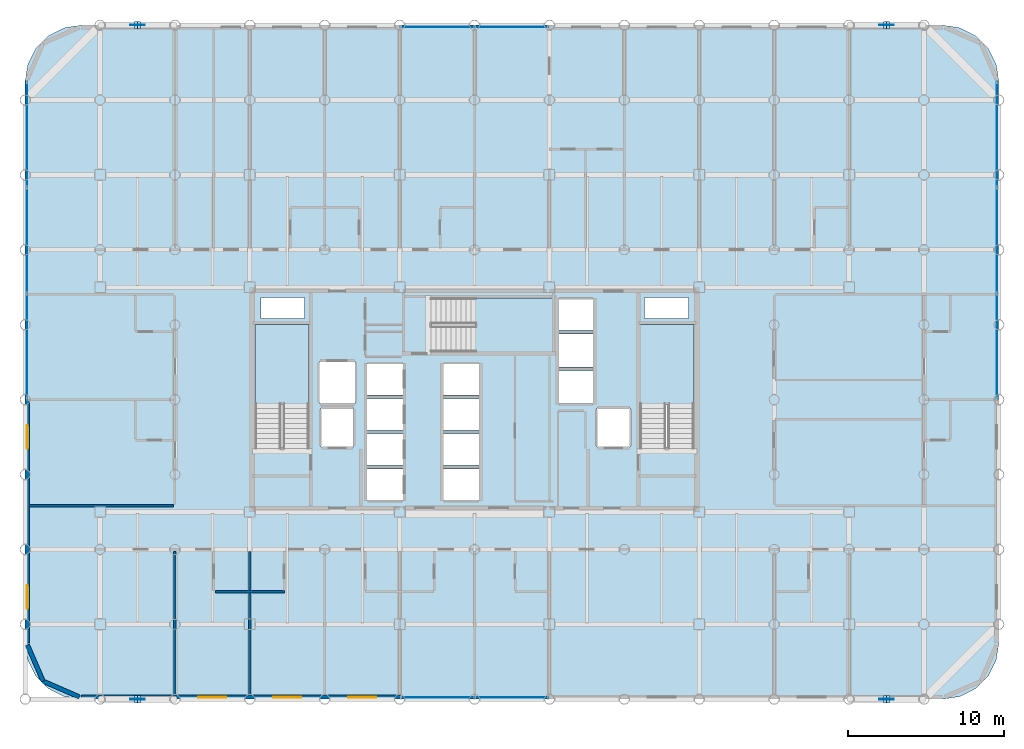
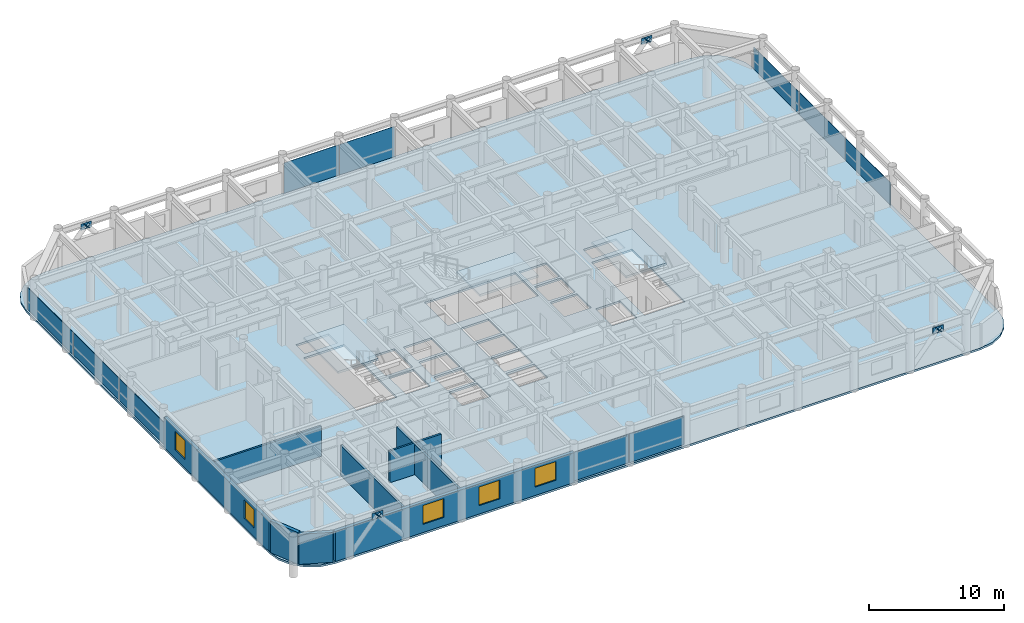
# One storey, part 16 of 22: 22 plates, 8 walls, 5 windows, 4 slabs, 5 openings, 7 elements without a shape of their own.
"""IFC4 building model written with IfcOpenShell, lengths in metres."""

from ifc_helpers import new_model, si_unit, direction, frame, frame_2d, origin, origin_2d, place, context, subcontext, project, spatial, polyline, rectangle, outline, extrude, material, layer, layer_set, type_object, element, fill, aggregate, save


model = new_model("IFC4")

# Units and contexts
model_context = context("Model", 3, precision=1e-05, world=origin(), true_north=direction((0.0, 1.0)))
body_context = subcontext(model_context, "Body", "Model", "MODEL_VIEW")
ifc_project = project(units=[si_unit("LENGTHUNIT", "METRE"), si_unit("AREAUNIT", "SQUARE_METRE"), si_unit("VOLUMEUNIT", "CUBIC_METRE"), si_unit("PLANEANGLEUNIT", "RADIAN"), si_unit("MASSUNIT", "GRAM", prefix="KILO")], contexts=[model_context])

# Site, building, storey
site_placement = place(None, origin())
site = spatial("IfcSite", under=ifc_project, at=site_placement, CompositionType="ELEMENT")
building_placement = place(site_placement, origin())
building = spatial("IfcBuilding", under=site, at=building_placement, Name="Kallvorn Hotel Tower", CompositionType="ELEMENT")
storey_placement = place(building_placement, frame((0.0, 0.0, 113.699951171875)))
storey = spatial("IfcBuildingStorey", under=building, at=storey_placement, Name="L27", CompositionType="ELEMENT", Elevation=113.699951171875)

# Curtain wall, plates
ifc_material_1 = material(Name="Thermally broken black-anodised aluminium AA 6063-T6", Category="aluminium")
ifc_layer_1 = layer(ifc_material_1, 0.199951171875)
ifc_layer_set_1 = layer_set([ifc_layer_1], Name="CW_SYS_3_HOTEL_LOW")
curtain_wall_type = type_object("IfcCurtainWallType", Name="CW_SYS_3_HOTEL_LOW", PredefinedType="USERDEFINED", material=ifc_layer_set_1)
curtain_wall_1_placement = place(storey_placement, origin())
curtain_wall_1 = element("IfcCurtainWall", 1, at=curtain_wall_1_placement, inside=storey, type_object=curtain_wall_type, Name="L27 Dark-Glass Curtain Wall CW-L27-SC", ObjectType="UNITISED CURTAIN WALL", PredefinedType="USERDEFINED")
ifc_material_2 = material(Name="Double-glazed low-e solar-control dark glass", Category="glass")
ifc_layer_2 = layer(ifc_material_2, 0.035888671875)
ifc_layer_set_2 = layer_set([ifc_layer_2], Name="CW_SYS_3_HOTEL_LOW_PANEL")
plate_type_1 = type_object("IfcPlateType", Name="CW_SYS_3_HOTEL_LOW_PANEL", PredefinedType="CURTAIN_PANEL", material=ifc_layer_set_2)
plate_1_placement = place(storey_placement, frame((-2.375, -19.080078125, 0.06005859375), z_axis=(0.0, 0.0, 1.0), x_axis=(1.0, 0.0, 0.0)))
plate_1 = element("IfcPlate", 2, at=plate_1_placement, type_object=plate_type_1, Name="CW-L27-SC Vision Glass Panel 00", PredefinedType="CURTAIN_PANEL", context=body_context, shape_type="SweptSolid", body=[
    extrude(rectangle(XDim=4.68994140625, YDim=0.035888671875, at=origin_2d()), origin(), (0.0, 0.0, 1.0), 2.60009765625),
])
plate_2_placement = place(storey_placement, frame((2.375, -19.080078125, 0.06005859375), z_axis=(0.0, 0.0, 1.0), x_axis=(1.0, 0.0, 0.0)))
plate_2 = element("IfcPlate", 3, at=plate_2_placement, type_object=plate_type_1, Name="CW-L27-SC Vision Glass Panel 01", PredefinedType="CURTAIN_PANEL", context=body_context, shape_type="SweptSolid", body=[
    extrude(rectangle(XDim=4.68994140625, YDim=0.035888671875, at=origin_2d()), origin(), (0.0, 0.0, 1.0), 2.60009765625),
])
aggregate(curtain_wall_1, [plate_1, plate_2])

curtain_wall_2_placement = place(storey_placement, origin())
curtain_wall_2 = element("IfcCurtainWall", 4, at=curtain_wall_2_placement, inside=storey, type_object=curtain_wall_type, Name="L27 Dark-Glass Curtain Wall CW-L27-NC", ObjectType="UNITISED CURTAIN WALL", PredefinedType="USERDEFINED")
plate_3_placement = place(storey_placement, frame((-2.375, 23.8798828125, 0.06005859375), z_axis=(0.0, 0.0, 1.0), x_axis=(1.0, 0.0, 0.0)))
plate_3 = element("IfcPlate", 5, at=plate_3_placement, type_object=plate_type_1, Name="CW-L27-NC Vision Glass Panel 00", PredefinedType="CURTAIN_PANEL", context=body_context, shape_type="SweptSolid", body=[
    extrude(rectangle(XDim=4.68994140625, YDim=0.035888671875, at=origin_2d()), origin(), (0.0, 0.0, 1.0), 2.75),
])
plate_4_placement = place(storey_placement, frame((2.375, 23.8798828125, 0.06005859375), z_axis=(0.0, 0.0, 1.0), x_axis=(1.0, 0.0, 0.0)))
plate_4 = element("IfcPlate", 6, at=plate_4_placement, type_object=plate_type_1, Name="CW-L27-NC Vision Glass Panel 01", PredefinedType="CURTAIN_PANEL", context=body_context, shape_type="SweptSolid", body=[
    extrude(rectangle(XDim=4.68994140625, YDim=0.035888671875, at=origin_2d()), origin(), (0.0, 0.0, 1.0), 2.75),
])
aggregate(curtain_wall_2, [plate_3, plate_4])

curtain_wall_3_placement = place(storey_placement, origin())
curtain_wall_3 = element("IfcCurtainWall", 7, at=curtain_wall_3_placement, inside=storey, type_object=curtain_wall_type, Name="L27 Dark-Glass Curtain Wall CW-L27-WN", ObjectType="UNITISED CURTAIN WALL", PredefinedType="USERDEFINED")
plate_5_placement = place(storey_placement, frame((-28.679931640625, 3.41650390625, 0.06005859375), z_axis=(0.0, 0.0, 1.0), x_axis=(0.0, 1.0, 0.0)))
plate_5 = element("IfcPlate", 8, at=plate_5_placement, type_object=plate_type_1, Name="CW-L27-WN Vision Glass Panel 00", PredefinedType="CURTAIN_PANEL", context=body_context, shape_type="SweptSolid", body=[
    extrude(rectangle(XDim=6.7333984375, YDim=0.035888671875, at=origin_2d()), origin(), (0.0, 0.0, 1.0), 2.0),
])
plate_6_placement = place(storey_placement, frame((-28.679931640625, 10.2099609375, 0.06005859375), z_axis=(0.0, 0.0, 1.0), x_axis=(0.0, 1.0, 0.0)))
plate_6 = element("IfcPlate", 9, at=plate_6_placement, type_object=plate_type_1, Name="CW-L27-WN Vision Glass Panel 01", PredefinedType="CURTAIN_PANEL", context=body_context, shape_type="SweptSolid", body=[
    extrude(rectangle(XDim=6.7333984375, YDim=0.035888671875, at=origin_2d()), origin(), (0.0, 0.0, 1.0), 2.0),
])
plate_7_placement = place(storey_placement, frame((-28.679931640625, 17.00341796875, 0.06005859375), z_axis=(0.0, 0.0, 1.0), x_axis=(0.0, 1.0, 0.0)))
plate_7 = element("IfcPlate", 10, at=plate_7_placement, type_object=plate_type_1, Name="CW-L27-WN Vision Glass Panel 02", PredefinedType="CURTAIN_PANEL", context=body_context, shape_type="SweptSolid", body=[
    extrude(rectangle(XDim=6.7333984375, YDim=0.035888671875, at=origin_2d()), origin(), (0.0, 0.0, 1.0), 2.0),
])
aggregate(curtain_wall_3, [plate_5, plate_6, plate_7])

curtain_wall_4_placement = place(storey_placement, origin())
curtain_wall_4 = element("IfcCurtainWall", 11, at=curtain_wall_4_placement, inside=storey, type_object=curtain_wall_type, Name="L27 Dark-Glass Curtain Wall CW-L27-EN", ObjectType="UNITISED CURTAIN WALL", PredefinedType="USERDEFINED")
plate_8_placement = place(storey_placement, frame((33.47998046875, 3.41650390625, 0.06005859375), z_axis=(0.0, 0.0, 1.0), x_axis=(0.0, 1.0, 0.0)))
plate_8 = element("IfcPlate", 12, at=plate_8_placement, type_object=plate_type_1, Name="CW-L27-EN Vision Glass Panel 00", PredefinedType="CURTAIN_PANEL", context=body_context, shape_type="SweptSolid", body=[
    extrude(rectangle(XDim=6.7333984375, YDim=0.035888671875, at=origin_2d()), origin(), (0.0, 0.0, 1.0), 2.0),
])
plate_9_placement = place(storey_placement, frame((33.47998046875, 10.2099609375, 0.06005859375), z_axis=(0.0, 0.0, 1.0), x_axis=(0.0, 1.0, 0.0)))
plate_9 = element("IfcPlate", 13, at=plate_9_placement, type_object=plate_type_1, Name="CW-L27-EN Vision Glass Panel 01", PredefinedType="CURTAIN_PANEL", context=body_context, shape_type="SweptSolid", body=[
    extrude(rectangle(XDim=6.7333984375, YDim=0.035888671875, at=origin_2d()), origin(), (0.0, 0.0, 1.0), 2.0),
])
plate_10_placement = place(storey_placement, frame((33.47998046875, 17.00341796875, 0.06005859375), z_axis=(0.0, 0.0, 1.0), x_axis=(0.0, 1.0, 0.0)))
plate_10 = element("IfcPlate", 14, at=plate_10_placement, type_object=plate_type_1, Name="CW-L27-EN Vision Glass Panel 02", PredefinedType="CURTAIN_PANEL", context=body_context, shape_type="SweptSolid", body=[
    extrude(rectangle(XDim=6.7333984375, YDim=0.035888671875, at=origin_2d()), origin(), (0.0, 0.0, 1.0), 2.0),
])
aggregate(curtain_wall_4, [plate_8, plate_9, plate_10])

# Plates
ifc_material_3 = material(Name="Structural steel S355JR", Category="steel")
ifc_layer_3 = layer(ifc_material_3, 0.030029296875)
ifc_layer_set_3 = layer_set([ifc_layer_3], Name="PLT_CAP_30")
plate_type_2 = type_object("IfcPlateType", Name="PLT_CAP_30", PredefinedType="SHEET", material=ifc_layer_set_3)
for number, where, z_axis, x_axis, name in (
    (15, (-21.407958984375, -19.443115234375, 2.8603515625), (0.646774094145, 0.0, 0.762681631575), (0.0, 1.0, 0.0), "EXO-L27-S1A End Cap Plate B"),
    (16, (-21.7919921875, -18.956787109375, 2.8603515625), (-0.646774094145, 0.0, 0.762681631575), (0.0, -1.0, 0.0), "EXO-L27-S1B End Cap Plate B"),
    (17, (26.592041015625, -19.443115234375, 2.8603515625), (0.646774094145, 0.0, 0.762681631575), (0.0, 1.0, 0.0), "EXO-L27-S2A End Cap Plate B"),
    (18, (26.2080078125, -18.956787109375, 2.8603515625), (-0.646774094145, 0.0, 0.762681631575), (0.0, -1.0, 0.0), "EXO-L27-S2B End Cap Plate B"),
    (19, (-21.407958984375, 23.7568359375, 2.8603515625), (0.646774094145, 0.0, 0.762681631575), (0.0, 1.0, 0.0), "EXO-L27-N1A End Cap Plate B"),
    (20, (-21.7919921875, 24.2431640625, 2.8603515625), (-0.646774094145, 0.0, 0.762681631575), (0.0, -1.0, 0.0), "EXO-L27-N1B End Cap Plate B"),
    (21, (26.592041015625, 23.7568359375, 2.8603515625), (0.646774094145, 0.0, 0.762681631575), (0.0, 1.0, 0.0), "EXO-L27-N2A End Cap Plate B"),
    (22, (26.2080078125, 24.2431640625, 2.8603515625), (-0.646774094145, 0.0, 0.762681631575), (0.0, -1.0, 0.0), "EXO-L27-N2B End Cap Plate B"),
):
    element("IfcPlate", number, at=place(storey_placement, frame(where, z_axis=z_axis, x_axis=x_axis)), inside=storey, type_object=plate_type_2, Name=name, PredefinedType="SHEET", context=body_context, shape_type="SweptSolid", body=[
        extrude(outline(polyline([(0.0, 0.0), (0.486328125, 0.0), (0.486328125, 0.4865644256220488), (0.0, 0.4865644256220488), (0.0, 0.0)])), origin(), (0.0, 0.0, -1.0), 0.030029296875),
    ])
ifc_material_4 = material(Name="Structural steel S355JR", Category="steel")
ifc_layer_4 = layer(ifc_material_4, 0.044921875)
ifc_layer_set_4 = layer_set([ifc_layer_4], Name="PLT_GUSSET_45")
plate_type_3 = type_object("IfcPlateType", Name="PLT_GUSSET_45", PredefinedType="USERDEFINED", material=ifc_layer_set_4)
for number, where, z_axis, x_axis, name in (
    (23, (-21.60009765625, -19.199951171875, 2.68994140625), (0.0, 0.0, 1.0), (1.0, 0.0, 0.0), "L27 Exoskeleton Node Gusset S1"),
    (24, (26.39990234375, -19.199951171875, 2.68994140625), (0.0, 0.0, 1.0), (1.0, 0.0, 0.0), "L27 Exoskeleton Node Gusset S2"),
    (25, (-21.60009765625, 24.0, 2.68994140625), (0.0, 0.0, 1.0), (1.0, 0.0, 0.0), "L27 Exoskeleton Node Gusset N1"),
    (26, (26.39990234375, 24.0, 2.68994140625), (0.0, 0.0, 1.0), (1.0, 0.0, 0.0), "L27 Exoskeleton Node Gusset N2"),
):
    element("IfcPlate", number, at=place(storey_placement, frame(where, z_axis=z_axis, x_axis=x_axis)), inside=storey, type_object=plate_type_3, Name=name, ObjectType="GUSSET PLATE", PredefinedType="USERDEFINED", context=body_context, shape_type="SweptSolid", body=[
        extrude(rectangle(XDim=0.89990234375, YDim=0.044921875, at=origin_2d()), origin(), (0.0, 0.0, 1.0), 0.56005859375),
    ])

# Stair, slab
ifc_material_5 = material(Name="Precast concrete C40/50", Category="concrete")
stair_type = type_object("IfcStairType", Name="STR_CORE_DOGLEG", PredefinedType="HALF_TURN_STAIR", material=ifc_material_5)
stair_1_placement = place(storey_placement, origin())
stair_1 = element("IfcStair", 27, at=stair_1_placement, inside=storey, type_object=stair_type, Name="L27 Exit stair ST1", PredefinedType="HALF_TURN_STAIR")
ifc_material_6 = material(Name="Precast concrete C40/50", Category="concrete")
ifc_layer_5 = layer(ifc_material_6, 0.179931640625)
ifc_layer_set_5 = layer_set([ifc_layer_5], Name="SLB_LANDING_180")
slab_type_1 = type_object("IfcSlabType", Name="SLB_LANDING_180", PredefinedType="LANDING", material=ifc_layer_set_5)
slab_1_placement = place(storey_placement, frame((0.0, 0.0, 1.650146484375)))
slab_1 = element("IfcSlab", 28, at=slab_1_placement, type_object=slab_type_1, Name="ST1 landing 1", PredefinedType="LANDING", context=body_context, shape_type="SweptSolid", body=[
    extrude(outline(polyline([(-10.60009765625, -0.31005859375), (-10.60009765625, 4.800048828125), (-14.06005859375, 4.800048828125), (-14.06005859375, -0.31005859375), (-10.60009765625, -0.31005859375)])), origin(), (0.0, 0.0, 1.0), 0.199951171875),
])
aggregate(stair_1, [slab_1])

stair_2_placement = place(storey_placement, origin())
stair_2 = element("IfcStair", 29, at=stair_2_placement, inside=storey, type_object=stair_type, Name="L27 Exit stair ST2", PredefinedType="HALF_TURN_STAIR")
slab_2_placement = place(storey_placement, frame((0.0, 0.0, 1.650146484375)))
slab_2 = element("IfcSlab", 30, at=slab_2_placement, type_object=slab_type_1, Name="ST2 landing 1", PredefinedType="LANDING", context=body_context, shape_type="SweptSolid", body=[
    extrude(outline(polyline([(14.06005859375, -0.31005859375), (14.06005859375, 4.800048828125), (10.60009765625, 4.800048828125), (10.60009765625, -0.31005859375), (14.06005859375, -0.31005859375)])), origin(), (0.0, 0.0, 1.0), 0.199951171875),
])
aggregate(stair_2, [slab_2])

stair_3_placement = place(storey_placement, origin())
stair_3 = element("IfcStair", 31, at=stair_3_placement, inside=storey, type_object=stair_type, Name="L27 Exit stair ST3", PredefinedType="HALF_TURN_STAIR")
slab_3_placement = place(storey_placement, frame((0.0, 0.0, 1.650146484375)))
slab_3 = element("IfcSlab", 32, at=slab_3_placement, type_object=slab_type_1, Name="ST3 landing 1", PredefinedType="LANDING", context=body_context, shape_type="SweptSolid", body=[
    extrude(outline(polyline([(0.0400390625, 3.050048828125), (5.050048828125, 3.050048828125), (5.050048828125, 6.510009765625), (0.0400390625, 6.510009765625), (0.0400390625, 3.050048828125)])), origin(), (0.0, 0.0, 1.0), 0.199951171875),
])
aggregate(stair_3, [slab_3])

# Slab
ifc_material_7 = material(Name="Concrete C40/50", Category="concrete")
ifc_layer_6 = layer(ifc_material_7, 0.179931640625)
ifc_layer_set_6 = layer_set([ifc_layer_6], Name="SLB_TOWER_180")
slab_type_2 = type_object("IfcSlabType", Name="SLB_TOWER_180", PredefinedType="FLOOR", material=ifc_layer_set_6)
slab_4_placement = place(storey_placement, frame((0.0, 0.0, -0.179931640625)))
element("IfcSlab", 33, at=slab_4_placement, inside=storey, type_object=slab_type_2, Name="L27 Structural Floor Slab", PredefinedType="FLOOR", context=body_context, shape_type="SweptSolid", body=[
    extrude(outline(polyline([(30.0, -19.199951171875), (31.112548828125, -19.023681640625), (32.115966796875, -18.512451171875), (32.91259765625, -17.716064453125), (33.423828125, -16.71240234375), (33.60009765625, -15.60009765625), (33.60009765625, 20.39990234375), (33.423828125, 21.512451171875), (32.91259765625, 22.51611328125), (32.115966796875, 23.3125), (31.112548828125, 23.82373046875), (30.0, 24.0), (-25.199951171875, 24.0), (-26.3125, 23.82373046875), (-27.31591796875, 23.3125), (-28.112548828125, 22.51611328125), (-28.623779296875, 21.512451171875), (-28.800048828125, 20.39990234375), (-28.800048828125, -15.60009765625), (-28.623779296875, -16.71240234375), (-28.112548828125, -17.716064453125), (-27.31591796875, -18.512451171875), (-26.3125, -19.023681640625), (-25.199951171875, -19.199951171875), (30.0, -19.199951171875)]), holes=[polyline([(-10.60009765625, -3.070068359375), (-10.60009765625, 4.800048828125), (-14.06005859375, 4.800048828125), (-14.06005859375, -3.070068359375), (-10.60009765625, -3.070068359375)]), polyline([(14.06005859375, -3.070068359375), (14.06005859375, 4.800048828125), (10.60009765625, 4.800048828125), (10.60009765625, -3.070068359375), (14.06005859375, -3.070068359375)]), polyline([(-2.719970703125, 3.050048828125), (5.050048828125, 3.050048828125), (5.050048828125, 6.510009765625), (-2.719970703125, 6.510009765625), (-2.719970703125, 3.050048828125)]), polyline([(-6.949951171875, -6.449951171875), (-4.550048828125, -6.449951171875), (-4.550048828125, -4.449951171875), (-6.949951171875, -4.449951171875), (-6.949951171875, -6.449951171875)]), polyline([(-6.949951171875, -4.199951171875), (-4.550048828125, -4.199951171875), (-4.550048828125, -2.199951171875), (-6.949951171875, -2.199951171875), (-6.949951171875, -4.199951171875)]), polyline([(-6.949951171875, -1.949951171875), (-4.550048828125, -1.949951171875), (-4.550048828125, 0.050048828125), (-6.949951171875, 0.050048828125), (-6.949951171875, -1.949951171875)]), polyline([(-6.949951171875, 0.300048828125), (-4.550048828125, 0.300048828125), (-4.550048828125, 2.300048828125), (-6.949951171875, 2.300048828125), (-6.949951171875, 0.300048828125)]), polyline([(-2.050048828125, -6.449951171875), (0.35009765625, -6.449951171875), (0.35009765625, -4.449951171875), (-2.050048828125, -4.449951171875), (-2.050048828125, -6.449951171875)]), polyline([(-2.050048828125, -4.199951171875), (0.35009765625, -4.199951171875), (0.35009765625, -2.199951171875), (-2.050048828125, -2.199951171875), (-2.050048828125, -4.199951171875)]), polyline([(-2.050048828125, -1.949951171875), (0.35009765625, -1.949951171875), (0.35009765625, 0.050048828125), (-2.050048828125, 0.050048828125), (-2.050048828125, -1.949951171875)]), polyline([(-2.050048828125, 0.300048828125), (0.35009765625, 0.300048828125), (0.35009765625, 2.300048828125), (-2.050048828125, 2.300048828125), (-2.050048828125, 0.300048828125)]), polyline([(5.35009765625, -0.25), (7.64990234375, -0.25), (7.64990234375, 1.85009765625), (5.35009765625, 1.85009765625), (5.35009765625, -0.25)]), polyline([(5.35009765625, 2.10009765625), (7.64990234375, 2.10009765625), (7.64990234375, 4.199951171875), (5.35009765625, 4.199951171875), (5.35009765625, 2.10009765625)]), polyline([(5.35009765625, 4.449951171875), (7.64990234375, 4.449951171875), (7.64990234375, 6.449951171875), (5.35009765625, 6.449951171875), (5.35009765625, 4.449951171875)]), polyline([(-9.85009765625, -3.050048828125), (-7.75, -3.050048828125), (-7.75, -0.550048828125), (-9.85009765625, -0.550048828125), (-9.85009765625, -3.050048828125)]), polyline([(7.85009765625, -3.050048828125), (9.949951171875, -3.050048828125), (9.949951171875, -0.550048828125), (7.85009765625, -0.550048828125), (7.85009765625, -3.050048828125)]), polyline([(-9.949951171875, -0.25), (-7.64990234375, -0.25), (-7.64990234375, 2.449951171875), (-9.949951171875, 2.449951171875), (-9.949951171875, -0.25)]), polyline([(-13.699951171875, 5.199951171875), (-10.89990234375, 5.199951171875), (-10.89990234375, 6.550048828125), (-13.699951171875, 6.550048828125), (-13.699951171875, 5.199951171875)]), polyline([(10.89990234375, 5.199951171875), (13.699951171875, 5.199951171875), (13.699951171875, 6.550048828125), (10.89990234375, 6.550048828125), (10.89990234375, 5.199951171875)])]), origin(), (0.0, 0.0, 1.0), 0.179931640625),
])

# Walls
ifc_material_8 = material(Name="Fire-rated double-layer acoustic gypsum drywall EI 60")
ifc_layer_7 = layer(ifc_material_8, 0.159912109375)
ifc_layer_set_7 = layer_set([ifc_layer_7], Name="WL_DEMISE_160")
wall_type_1 = type_object("IfcWallType", Name="WL_DEMISE_160", PredefinedType="PARTITIONING", material=ifc_layer_set_7)
wall_1_placement = place(storey_placement, frame((-16.610107421875, -12.320068359375, 0.0), z_axis=(0.0, 0.0, 1.0), x_axis=(1.0, 0.0, 0.0)))
element("IfcWall", 34, at=wall_1_placement, inside=storey, type_object=wall_type_1, Name="L27 Suite 2705 Superior Twin Room Partition", PredefinedType="PARTITIONING", context=body_context, shape_type="SweptSolid", body=[
    extrude(rectangle(XDim=4.420166015625, YDim=0.159912109375, at=frame_2d((2.2099609375, 0.0))), origin(), (0.0, 0.0, 1.0), 2.8701171875),
])
wall_2_placement = place(storey_placement, frame((-28.510009765625, -6.800048828125, 0.0), z_axis=(0.0, 0.0, 1.0), x_axis=(1.0, 0.0, 0.0)))
element("IfcWall", 35, at=wall_2_placement, inside=storey, type_object=wall_type_1, Name="L27 Suite 2701 W Loggia King Room Partition", PredefinedType="PARTITIONING", context=body_context, shape_type="SweptSolid", body=[
    extrude(rectangle(XDim=9.22998046875, YDim=0.159912109375, at=frame_2d((4.614990234375, 0.0))), origin(), (0.0, 0.0, 1.0), 2.719970703125),
])
for number, where, z_axis, x_axis, name in (
    (36, (-19.199951171875, -18.909912109375, 0.0), (0.0, 0.0, 1.0), (0.0, 1.0, 0.0), "L27 Suite 2705 Superior Twin Room Partition"),
    (37, (-14.39990234375, -18.909912109375, 0.0), (0.0, 0.0, 1.0), (0.0, 1.0, 0.0), "L27 Suite 2705 Superior Twin Room Partition"),
):
    element("IfcWall", number, at=place(storey_placement, frame(where, z_axis=z_axis, x_axis=x_axis)), inside=storey, type_object=wall_type_1, Name=name, PredefinedType="PARTITIONING", context=body_context, shape_type="SweptSolid", body=[
        extrude(rectangle(XDim=9.18994140625, YDim=0.159912109375, at=frame_2d((4.594970703125, 0.0))), origin(), (0.0, 0.0, 1.0), 2.719970703125),
    ])
ifc_material_9 = material(Name="Precast basalt-clad insulated concrete wall C40/50", Category="masonry")
ifc_layer_8 = layer(ifc_material_9, 0.280029296875)
ifc_layer_set_8 = layer_set([ifc_layer_8], Name="WL_EXT_LOGGIA_280")
wall_type_2 = type_object("IfcWallType", Name="WL_EXT_LOGGIA_280", PredefinedType="SOLIDWALL", material=ifc_layer_set_8)
wall_3_placement = place(storey_placement, frame((-28.657958984375, -15.720703125, 0.0), z_axis=(0.0, 0.0, 1.0), x_axis=(0.398792985289, -0.917040977756, 0.0)))
element("IfcWall", 38, at=wall_3_placement, inside=storey, type_object=wall_type_2, Name="L27 Rounded Corner Exterior Wall SW1", PredefinedType="SOLIDWALL", context=body_context, shape_type="SweptSolid", body=[
    extrude(rectangle(XDim=2.536376953125, YDim=0.280029296875, at=frame_2d((1.26806640625, 0.0))), origin(), (0.0, 0.0, 1.0), 2.8701171875),
])
wall_4_placement = place(storey_placement, frame((-27.646484375, -18.046630859375, 0.0), z_axis=(0.0, 0.0, 1.0), x_axis=(0.917060872934, -0.398747232384, 0.0)))
element("IfcWall", 39, at=wall_4_placement, inside=storey, type_object=wall_type_2, Name="L27 Rounded Corner Exterior Wall SW2", PredefinedType="SOLIDWALL", context=body_context, shape_type="SweptSolid", body=[
    extrude(rectangle(XDim=2.5361328125, YDim=0.280029296875, at=frame_2d((1.26806640625, 0.0))), origin(), (0.0, 0.0, 1.0), 2.719970703125),
])

# Wall, openings, windows
wall_5_placement = place(storey_placement, frame((-25.199951171875, -19.06005859375, 0.0), z_axis=(0.0, 0.0, 1.0), x_axis=(1.0, 0.0, 0.0)))
wall_5 = element("IfcWall", 40, at=wall_5_placement, inside=storey, type_object=wall_type_2, Name="L27 Exterior Envelope Wall EW-L27-SW", PredefinedType="SOLIDWALL", context=body_context, shape_type="SweptSolid", body=[
    extrude(rectangle(XDim=20.449951171875, YDim=0.280029296875, at=frame_2d((10.22509765625, 0.0))), origin(), (0.0, 0.0, 1.0), 2.719970703125),
])
opening_1_placement = place(wall_5_placement, frame((7.5, 0.0, 0.75)))
opening_1 = element("IfcOpeningElement", 41, at=opening_1_placement, cuts=wall_5, Name="Opening W04", PredefinedType="OPENING", context=body_context, shape_type="SweptSolid", body=[
    extrude(rectangle(XDim=1.800048828125, YDim=1.699951171875, at=frame_2d((0.89990234375, 0.85009765625))), frame((0.0, 0.155029296875, 0.0), z_axis=(0.0, -1.0, 0.0), x_axis=(1.0, 0.0, 0.0)), (0.0, 0.0, 1.0), 0.31005859375),
])
opening_2_placement = place(wall_5_placement, frame((12.300048828125, 0.0, 0.75)))
opening_2 = element("IfcOpeningElement", 42, at=opening_2_placement, cuts=wall_5, Name="Opening W04", PredefinedType="OPENING", context=body_context, shape_type="SweptSolid", body=[
    extrude(rectangle(XDim=1.800048828125, YDim=1.699951171875, at=frame_2d((0.89990234375, 0.85009765625))), frame((0.0, 0.155029296875, 0.0), z_axis=(0.0, -1.0, 0.0), x_axis=(1.0, 0.0, 0.0)), (0.0, 0.0, 1.0), 0.31005859375),
])
opening_3_placement = place(wall_5_placement, frame((17.10009765625, 0.0, 0.75)))
opening_3 = element("IfcOpeningElement", 43, at=opening_3_placement, cuts=wall_5, Name="Opening W04", PredefinedType="OPENING", context=body_context, shape_type="SweptSolid", body=[
    extrude(rectangle(XDim=1.800048828125, YDim=1.699951171875, at=frame_2d((0.89990234375, 0.85009765625))), frame((0.0, 0.155029296875, 0.0), z_axis=(0.0, -1.0, 0.0), x_axis=(1.0, 0.0, 0.0)), (0.0, 0.0, 1.0), 0.31005859375),
])
ifc_material_10 = material(Name="Double-glazed low-e solar-control dark glass", Category="glass")
window_type_1 = type_object("IfcWindowType", Name="WN_HTL_1800x1700", PartitioningType="SINGLE_PANEL", PredefinedType="WINDOW", material=ifc_material_10)
window_1_placement = place(opening_1_placement, origin())
window_1 = element("IfcWindow", 44, at=window_1_placement, inside=storey, type_object=window_type_1, Name="L27 Guestroom Exterior Window 05", OverallHeight=1.699951171875, OverallWidth=1.800048828125, PartitioningType="SINGLE_PANEL", PredefinedType="WINDOW", context=body_context, shape_type="SweptSolid", body=[
    extrude(rectangle(XDim=1.800048828125, YDim=1.699951171875, at=frame_2d((0.89990234375, 0.85009765625))), frame((0.0, 0.030029296875, 0.0), z_axis=(0.0, -1.0, 0.0), x_axis=(1.0, 0.0, 0.0)), (0.0, 0.0, 1.0), 0.06005859375),
])
fill(opening_1, window_1)
window_2_placement = place(opening_2_placement, origin())
window_2 = element("IfcWindow", 45, at=window_2_placement, inside=storey, type_object=window_type_1, Name="L27 Guestroom Exterior Window 06", OverallHeight=1.699951171875, OverallWidth=1.800048828125, PartitioningType="SINGLE_PANEL", PredefinedType="WINDOW", context=body_context, shape_type="SweptSolid", body=[
    extrude(rectangle(XDim=1.800048828125, YDim=1.699951171875, at=frame_2d((0.89990234375, 0.85009765625))), frame((0.0, 0.030029296875, 0.0), z_axis=(0.0, -1.0, 0.0), x_axis=(1.0, 0.0, 0.0)), (0.0, 0.0, 1.0), 0.06005859375),
])
fill(opening_2, window_2)
window_3_placement = place(opening_3_placement, origin())
window_3 = element("IfcWindow", 46, at=window_3_placement, inside=storey, type_object=window_type_1, Name="L27 Guestroom Exterior Window 07", OverallHeight=1.699951171875, OverallWidth=1.800048828125, PartitioningType="SINGLE_PANEL", PredefinedType="WINDOW", context=body_context, shape_type="SweptSolid", body=[
    extrude(rectangle(XDim=1.800048828125, YDim=1.699951171875, at=frame_2d((0.89990234375, 0.85009765625))), frame((0.0, 0.030029296875, 0.0), z_axis=(0.0, -1.0, 0.0), x_axis=(1.0, 0.0, 0.0)), (0.0, 0.0, 1.0), 0.06005859375),
])
fill(opening_3, window_3)

wall_6_placement = place(storey_placement, frame((-28.659912109375, -15.60009765625, 0.0), z_axis=(0.0, 0.0, 1.0), x_axis=(0.0, 1.0, 0.0)))
wall_6 = element("IfcWall", 47, at=wall_6_placement, inside=storey, type_object=wall_type_2, Name="L27 Exterior Envelope Wall EW-L27-WS", PredefinedType="SOLIDWALL", context=body_context, shape_type="SweptSolid", body=[
    extrude(rectangle(XDim=15.580078125, YDim=0.280029296875, at=frame_2d((7.7900390625, 0.0))), origin(), (0.0, 0.0, 1.0), 2.719970703125),
])
opening_4_placement = place(wall_6_placement, frame((2.18994140625, 0.0, 0.75)))
opening_4 = element("IfcOpeningElement", 48, at=opening_4_placement, cuts=wall_6, Name="Opening W05", PredefinedType="OPENING", context=body_context, shape_type="SweptSolid", body=[
    extrude(rectangle(XDim=1.5, YDim=1.699951171875, at=frame_2d((0.75, 0.85009765625))), frame((0.0, 0.155029296875, 0.0), z_axis=(0.0, -1.0, 0.0), x_axis=(1.0, 0.0, 0.0)), (0.0, 0.0, 1.0), 0.31005859375),
])
opening_5_placement = place(wall_6_placement, frame((12.449951171875, 0.0, 0.75)))
opening_5 = element("IfcOpeningElement", 49, at=opening_5_placement, cuts=wall_6, Name="Opening W05", PredefinedType="OPENING", context=body_context, shape_type="SweptSolid", body=[
    extrude(rectangle(XDim=1.5, YDim=1.699951171875, at=frame_2d((0.75, 0.85009765625))), frame((0.0, 0.155029296875, 0.0), z_axis=(0.0, -1.0, 0.0), x_axis=(1.0, 0.0, 0.0)), (0.0, 0.0, 1.0), 0.31005859375),
])
ifc_material_11 = material(Name="Double-glazed low-e solar-control dark glass", Category="glass")
window_type_2 = type_object("IfcWindowType", Name="WN_HTL_1500x1700", PartitioningType="SINGLE_PANEL", PredefinedType="WINDOW", material=ifc_material_11)
window_4_placement = place(opening_4_placement, origin())
window_4 = element("IfcWindow", 50, at=window_4_placement, inside=storey, type_object=window_type_2, Name="L27 Flank Wing Window 01", OverallHeight=1.699951171875, OverallWidth=1.5, PartitioningType="SINGLE_PANEL", PredefinedType="WINDOW", context=body_context, shape_type="SweptSolid", body=[
    extrude(rectangle(XDim=1.5, YDim=1.699951171875, at=frame_2d((0.75, 0.85009765625))), frame((0.0, 0.030029296875, 0.0), z_axis=(0.0, -1.0, 0.0), x_axis=(1.0, 0.0, 0.0)), (0.0, 0.0, 1.0), 0.06005859375),
])
fill(opening_4, window_4)
window_5_placement = place(opening_5_placement, origin())
window_5 = element("IfcWindow", 51, at=window_5_placement, inside=storey, type_object=window_type_2, Name="L27 Flank Wing Window 03", OverallHeight=1.699951171875, OverallWidth=1.5, PartitioningType="SINGLE_PANEL", PredefinedType="WINDOW", context=body_context, shape_type="SweptSolid", body=[
    extrude(rectangle(XDim=1.5, YDim=1.699951171875, at=frame_2d((0.75, 0.85009765625))), frame((0.0, 0.030029296875, 0.0), z_axis=(0.0, -1.0, 0.0), x_axis=(1.0, 0.0, 0.0)), (0.0, 0.0, 1.0), 0.06005859375),
])
fill(opening_5, window_5)

save(model, "model.ifc")
